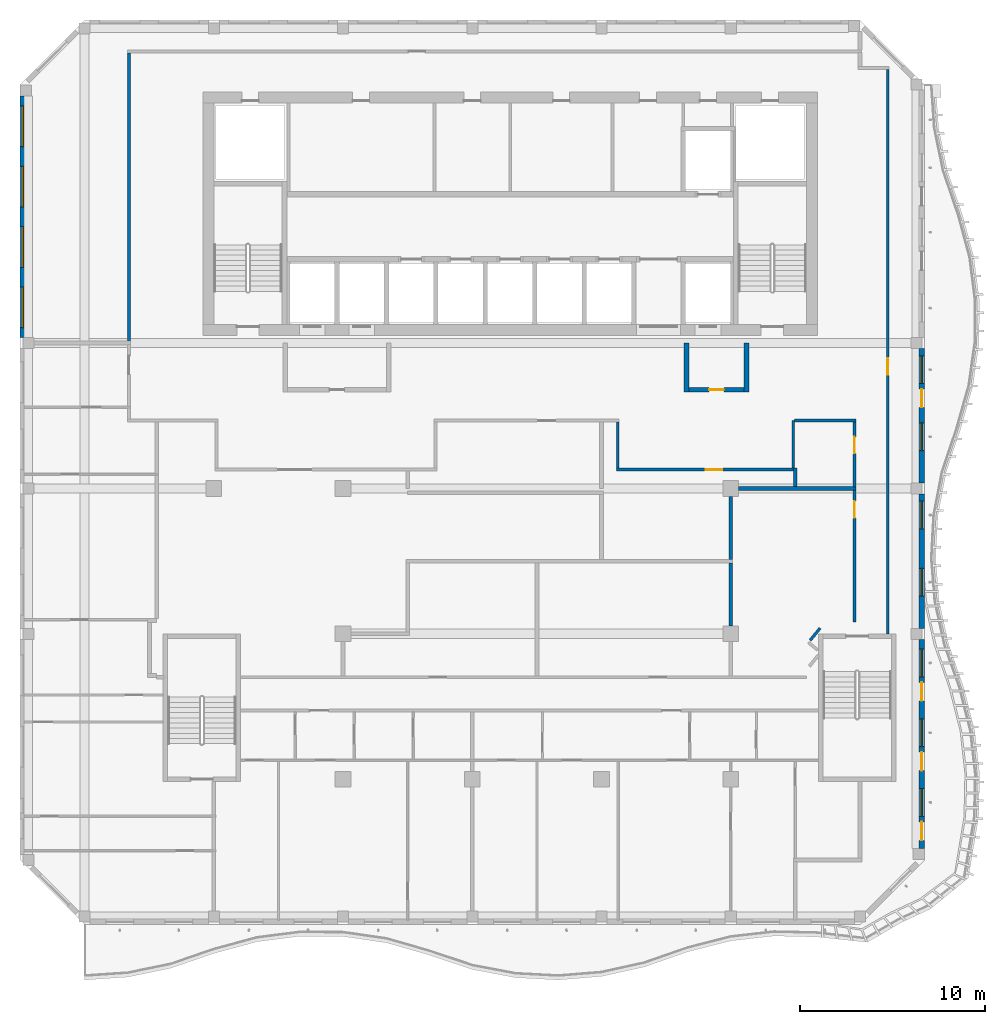
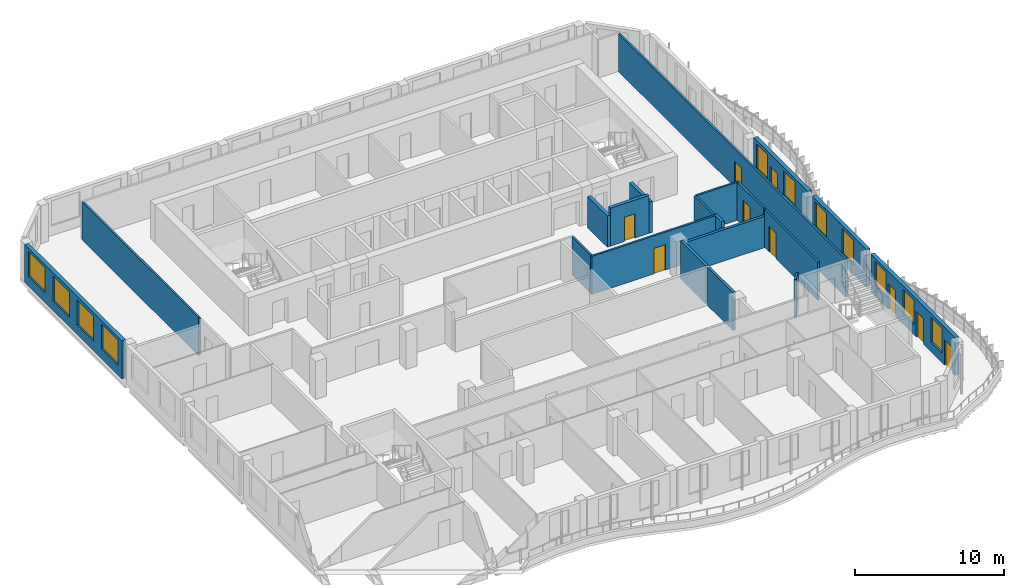
# One storey, part 5 of 17: 20 walls, 11 windows, 9 doors, 20 openings.
"""IFC4 building model written with IfcOpenShell, lengths in metres."""

from ifc_helpers import new_model, si_unit, direction, frame, frame_2d, origin, place, context, subcontext, project, spatial, rectangle, extrude, source, transform, mapped, material, layer, layer_set, type_object, element, fill, save


model = new_model("IFC4")

# Units and contexts
model_context = context("Model", 3, precision=1e-05, world=origin(), true_north=direction((0.0, 1.0)))
body_context = subcontext(model_context, "Body", "Model", "MODEL_VIEW")
ifc_project = project(units=[si_unit("LENGTHUNIT", "METRE"), si_unit("AREAUNIT", "SQUARE_METRE"), si_unit("VOLUMEUNIT", "CUBIC_METRE"), si_unit("PLANEANGLEUNIT", "RADIAN"), si_unit("MASSUNIT", "GRAM", prefix="KILO")], contexts=[model_context])

# Site, building, storey
site_placement = place(None, origin())
site = spatial("IfcSite", under=ifc_project, at=site_placement, CompositionType="ELEMENT")
building_placement = place(site_placement, origin())
building = spatial("IfcBuilding", under=site, at=building_placement, Name="Kilnfold Tower and Market Hall", CompositionType="ELEMENT")
storey_placement = place(building_placement, frame((0.0, 0.0, 301.800048828125)))
storey = spatial("IfcBuildingStorey", under=building, at=storey_placement, Name="L75", CompositionType="ELEMENT", Elevation=301.800048828125)

# Wall, opening, door
ifc_material_1 = material(Name="Gypsum board on steel studs", Category="steel")
ifc_layer_1 = layer(ifc_material_1, 0.14990234375)
ifc_layer_set_1 = layer_set([ifc_layer_1], Name="Gypsum board on steel studs")
wall_type_1 = type_object("IfcWallType", Name="WALL CORRIDOR 150", PredefinedType="PARTITIONING", material=ifc_layer_set_1)
wall_1_placement = place(storey_placement, frame((21.5, -7.75, 0.0), z_axis=(0.0, 0.0, 1.0), x_axis=(0.0, 1.0, 0.0)))
wall_1 = element("IfcWall", 1, at=wall_1_placement, inside=storey, type_object=wall_type_1, Name="Partition LY45.6", PredefinedType="PARTITIONING", context=body_context, shape_type="SweptSolid", body=[
    extrude(rectangle(XDim=30.574951171875, YDim=0.14990234375, at=frame_2d((15.28759765625, 0.0))), origin(), (0.0, 0.0, 1.0), 3.119873046875),
])
opening_1_placement = place(wall_1_placement, frame((14.034912109375, 0.0, 0.0)))
opening_1 = element("IfcOpeningElement", 2, at=opening_1_placement, cuts=wall_1, Name="Opening D2", PredefinedType="OPENING", context=body_context, shape_type="SweptSolid", body=[
    extrude(rectangle(XDim=0.89990234375, YDim=2.10009765625, at=frame_2d((0.449951171875, 1.050048828125))), frame((0.0, 0.0849609375, 0.0), z_axis=(0.0, -1.0, 0.0), x_axis=(1.0, 0.0, 0.0)), (0.0, 0.0, 1.0), 0.169921875),
])
ifc_material_2 = material(Name="Timber veneer door leaf in steel frame", Category="steel")
door_type_1 = type_object("IfcDoorType", Name="DOOR ROOM 900 X2100", OperationType="NOTDEFINED", PredefinedType="DOOR", material=ifc_material_2)
door_1_placement = place(opening_1_placement, origin())
door_1 = element("IfcDoor", 3, at=door_1_placement, inside=storey, type_object=door_type_1, Name="Door D2", OperationType="SINGLE_SWING_LEFT", OverallHeight=2.10009765625, OverallWidth=0.89990234375, PredefinedType="DOOR", context=body_context, shape_type="SweptSolid", body=[
    extrude(rectangle(XDim=0.89990234375, YDim=2.10009765625, at=frame_2d((0.449951171875, 1.050048828125))), frame((0.0, 0.02490234375, 0.0), z_axis=(0.0, -1.0, 0.0), x_axis=(1.0, 0.0, 0.0)), (0.0, 0.0, 1.0), 0.050048828125),
])
fill(opening_1, door_1)

# Walls
wall_2_placement = place(storey_placement, frame((-19.60009765625, 8.090087890625, 0.0), z_axis=(0.0, 0.0, 1.0), x_axis=(0.0, 1.0, 0.0)))
element("IfcWall", 4, at=wall_2_placement, inside=storey, type_object=wall_type_1, Name="Partition LY45.7", PredefinedType="PARTITIONING", context=body_context, shape_type="SweptSolid", body=[
    extrude(rectangle(XDim=15.635009765625, YDim=0.14990234375, at=frame_2d((7.8173828125, 0.0))), origin(), (0.0, 0.0, 1.0), 3.119873046875),
])
wall_3_placement = place(storey_placement, frame((16.3798828125, 1.22509765625, 0.0), z_axis=(0.0, 0.0, 1.0), x_axis=(0.0, 1.0, 0.0)))
element("IfcWall", 5, at=wall_3_placement, inside=storey, type_object=wall_type_1, Name="Partition LY45.14", PredefinedType="PARTITIONING", context=body_context, shape_type="SweptSolid", body=[
    extrude(rectangle(XDim=2.574951171875, YDim=0.14990234375, at=frame_2d((1.28759765625, 0.0))), origin(), (0.0, 0.0, 1.0), 3.119873046875),
])

# Wall, opening, door
wall_4_placement = place(storey_placement, frame((6.804931640625, 1.14990234375, 0.0), z_axis=(0.0, 0.0, 1.0), x_axis=(1.0, 0.0, 0.0)))
wall_4 = element("IfcWall", 6, at=wall_4_placement, inside=storey, type_object=wall_type_1, Name="Partition LY45.15", PredefinedType="PARTITIONING", context=body_context, shape_type="SweptSolid", body=[
    extrude(rectangle(XDim=9.594970703125, YDim=0.14990234375, at=frame_2d((4.79736328125, 0.0))), origin(), (0.0, 0.0, 1.0), 3.119873046875),
])
opening_2_placement = place(wall_4_placement, frame((4.827880859375, 0.0, 0.0)))
opening_2 = element("IfcOpeningElement", 7, at=opening_2_placement, cuts=wall_4, Name="Opening D2", PredefinedType="OPENING", context=body_context, shape_type="SweptSolid", body=[
    extrude(rectangle(XDim=0.89990234375, YDim=2.10009765625, at=frame_2d((0.449951171875, 1.050048828125))), frame((0.0, 0.0849609375, 0.0), z_axis=(0.0, -1.0, 0.0), x_axis=(1.0, 0.0, 0.0)), (0.0, 0.0, 1.0), 0.169921875),
])
door_2_placement = place(opening_2_placement, origin())
door_2 = element("IfcDoor", 8, at=door_2_placement, inside=storey, type_object=door_type_1, Name="Door D2", OperationType="SINGLE_SWING_LEFT", OverallHeight=2.10009765625, OverallWidth=0.89990234375, PredefinedType="DOOR", context=body_context, shape_type="SweptSolid", body=[
    extrude(rectangle(XDim=0.89990234375, YDim=2.10009765625, at=frame_2d((0.449951171875, 1.050048828125))), frame((0.0, 0.02490234375, 0.0), z_axis=(0.0, -1.0, 0.0), x_axis=(1.0, 0.0, 0.0)), (0.0, 0.0, 1.0), 0.050048828125),
])
fill(opening_2, door_2)

# Walls
wall_5_placement = place(storey_placement, frame((6.8798828125, 3.72509765625, 0.0), z_axis=(0.0, 0.0, 1.0), x_axis=(0.0, -1.0, 0.0)))
element("IfcWall", 9, at=wall_5_placement, inside=storey, type_object=wall_type_1, Name="Partition LY45.16", PredefinedType="PARTITIONING", context=body_context, shape_type="SweptSolid", body=[
    extrude(rectangle(XDim=2.5, YDim=0.14990234375, at=frame_2d((1.25, 0.0))), origin(), (0.0, 0.0, 1.0), 3.119873046875),
])
wall_6_placement = place(storey_placement, frame((17.8349609375, -7.44189453125, 0.0), z_axis=(0.0, 0.0, 1.0), x_axis=(-0.628859024249, -0.777519342281, 0.0)))
element("IfcWall", 10, at=wall_6_placement, inside=storey, type_object=wall_type_1, Name="Partition LY45.19", PredefinedType="PARTITIONING", context=body_context, shape_type="SweptSolid", body=[
    extrude(rectangle(XDim=0.84912109375, YDim=0.14990234375, at=frame_2d((0.424560546875, 0.0))), origin(), (0.0, 0.0, 1.0), 3.119873046875),
])

# Wall, opening, door
wall_7_placement = place(storey_placement, frame((19.699951171875, -7.10009765625, 0.0), z_axis=(0.0, 0.0, 1.0), x_axis=(0.0, 1.0, 0.0)))
wall_7 = element("IfcWall", 11, at=wall_7_placement, inside=storey, type_object=wall_type_1, Name="Partition LY45.20", PredefinedType="PARTITIONING", context=body_context, shape_type="SweptSolid", body=[
    extrude(rectangle(XDim=7.135009765625, YDim=0.14990234375, at=frame_2d((3.5673828125, 0.0))), origin(), (0.0, 0.0, 1.0), 3.119873046875),
])
opening_3_placement = place(wall_7_placement, frame((5.633056640625, 0.0, 0.0)))
opening_3 = element("IfcOpeningElement", 12, at=opening_3_placement, cuts=wall_7, Name="Opening D2", PredefinedType="OPENING", context=body_context, shape_type="SweptSolid", body=[
    extrude(rectangle(XDim=0.89990234375, YDim=2.10009765625, at=frame_2d((0.449951171875, 1.050048828125))), frame((0.0, 0.0849609375, 0.0), z_axis=(0.0, -1.0, 0.0), x_axis=(1.0, 0.0, 0.0)), (0.0, 0.0, 1.0), 0.169921875),
])
door_3_placement = place(opening_3_placement, origin())
door_3 = element("IfcDoor", 13, at=door_3_placement, inside=storey, type_object=door_type_1, Name="Door D2", OperationType="SINGLE_SWING_LEFT", OverallHeight=2.10009765625, OverallWidth=0.89990234375, PredefinedType="DOOR", context=body_context, shape_type="SweptSolid", body=[
    extrude(rectangle(XDim=0.89990234375, YDim=2.10009765625, at=frame_2d((0.449951171875, 1.050048828125))), frame((0.0, 0.02490234375, 0.0), z_axis=(0.0, -1.0, 0.0), x_axis=(1.0, 0.0, 0.0)), (0.0, 0.0, 1.0), 0.050048828125),
])
fill(opening_3, door_3)

wall_8_placement = place(storey_placement, frame((19.699951171875, 0.215087890625, 0.0), z_axis=(0.0, 0.0, 1.0), x_axis=(0.0, 1.0, 0.0)))
wall_8 = element("IfcWall", 14, at=wall_8_placement, inside=storey, type_object=wall_type_1, Name="Partition LY45.21", PredefinedType="PARTITIONING", context=body_context, shape_type="SweptSolid", body=[
    extrude(rectangle(XDim=3.510009765625, YDim=0.14990234375, at=frame_2d((1.7548828125, 0.0))), origin(), (0.0, 0.0, 1.0), 3.119873046875),
])
opening_4_placement = place(wall_8_placement, frame((1.806884765625, 0.0, 0.0)))
opening_4 = element("IfcOpeningElement", 15, at=opening_4_placement, cuts=wall_8, Name="Opening D2", PredefinedType="OPENING", context=body_context, shape_type="SweptSolid", body=[
    extrude(rectangle(XDim=0.89990234375, YDim=2.10009765625, at=frame_2d((0.449951171875, 1.050048828125))), frame((0.0, 0.0849609375, 0.0), z_axis=(0.0, -1.0, 0.0), x_axis=(1.0, 0.0, 0.0)), (0.0, 0.0, 1.0), 0.169921875),
])
door_4_placement = place(opening_4_placement, origin())
door_4 = element("IfcDoor", 16, at=door_4_placement, inside=storey, type_object=door_type_1, Name="Door D2", OperationType="SINGLE_SWING_LEFT", OverallHeight=2.10009765625, OverallWidth=0.89990234375, PredefinedType="DOOR", context=body_context, shape_type="SweptSolid", body=[
    extrude(rectangle(XDim=0.89990234375, YDim=2.10009765625, at=frame_2d((0.449951171875, 1.050048828125))), frame((0.0, 0.02490234375, 0.0), z_axis=(0.0, -1.0, 0.0), x_axis=(1.0, 0.0, 0.0)), (0.0, 0.0, 1.0), 0.050048828125),
])
fill(opening_4, door_4)

# Walls
wall_9_placement = place(storey_placement, frame((16.455078125, 3.800048828125, 0.0), z_axis=(0.0, 0.0, 1.0), x_axis=(1.0, 0.0, 0.0)))
element("IfcWall", 17, at=wall_9_placement, inside=storey, type_object=wall_type_1, Name="Partition LY45.22", PredefinedType="PARTITIONING", context=body_context, shape_type="SweptSolid", body=[
    extrude(rectangle(XDim=3.31982421875, YDim=0.14990234375, at=frame_2d((1.659912109375, 0.0))), origin(), (0.0, 0.0, 1.0), 3.119873046875),
])
ifc_material_3 = material(Name="Gypsum board on steel studs", Category="steel")
ifc_layer_2 = layer(ifc_material_3, 0.199951171875)
ifc_layer_set_2 = layer_set([ifc_layer_2], Name="Gypsum board on steel studs")
wall_type_2 = type_object("IfcWallType", Name="WALL PARTY 200", PredefinedType="PARTITIONING", material=ifc_layer_set_2)
wall_10_placement = place(storey_placement, frame((13.0, -7.324951171875, 0.0), z_axis=(0.0, 0.0, 1.0), x_axis=(0.0, 1.0, 0.0)))
element("IfcWall", 18, at=wall_10_placement, inside=storey, type_object=wall_type_2, Name="Partition LY45.71", PredefinedType="PARTITIONING", context=body_context, shape_type="SweptSolid", body=[
    extrude(rectangle(XDim=3.412841796875, YDim=0.199951171875, at=frame_2d((1.70654296875, 0.0))), origin(), (0.0, 0.0, 1.0), 3.119873046875),
])
wall_11_placement = place(storey_placement, frame((13.425048828125, 0.125, 0.0), z_axis=(0.0, 0.0, 1.0), x_axis=(1.0, 0.0, 0.0)))
element("IfcWall", 19, at=wall_11_placement, inside=storey, type_object=wall_type_2, Name="Partition LY45.73", PredefinedType="PARTITIONING", context=body_context, shape_type="SweptSolid", body=[
    extrude(rectangle(XDim=6.347900390625, YDim=0.199951171875, at=frame_2d((3.173828125, 0.0))), origin(), (0.0, 0.0, 1.0), 2.570068359375),
])
wall_12_placement = place(storey_placement, frame((13.0, -3.7119140625, 0.0), z_axis=(0.0, 0.0, 1.0), x_axis=(0.0, 1.0, 0.0)))
element("IfcWall", 20, at=wall_12_placement, inside=storey, type_object=wall_type_2, Name="Partition LY45.74", PredefinedType="PARTITIONING", context=body_context, shape_type="SweptSolid", body=[
    extrude(rectangle(XDim=3.411865234375, YDim=0.199951171875, at=frame_2d((1.7060546875, 0.0))), origin(), (0.0, 0.0, 1.0), 3.119873046875),
])
wall_13_placement = place(storey_placement, frame((16.5, 0.22509765625, 0.0), z_axis=(0.0, 0.0, 1.0), x_axis=(0.0, 1.0, 0.0)))
element("IfcWall", 21, at=wall_13_placement, inside=storey, type_object=wall_type_2, Name="Partition LY45.75", PredefinedType="PARTITIONING", context=body_context, shape_type="SweptSolid", body=[
    extrude(rectangle(XDim=1.0, YDim=0.199951171875, at=frame_2d((0.5, 0.0))), origin(), (0.0, 0.0, 1.0), 3.119873046875),
])

# Wall, openings, doors, windows
ifc_material_4 = material(Name="Precast concrete C50/60", Category="concrete")
ifc_layer_3 = layer(ifc_material_4, 0.300048828125)
ifc_layer_set_3 = layer_set([ifc_layer_3], Name="Precast concrete C50/60")
wall_type_3 = type_object("IfcWallType", Name="PRECAST WALL 300", PredefinedType="SOLIDWALL", material=ifc_layer_set_3)
shared_shape_1 = source(origin(), body_context, "Body", "SweptSolid", [
    extrude(rectangle(XDim=11.331787109375, YDim=0.300048828125, at=frame_2d((5.666015625, 0.0))), origin(), (0.0, 0.0, 1.0), 3.119873046875),
])
wall_14_placement = place(storey_placement, frame((23.35009765625, -19.3818359375, 0.0), z_axis=(0.0, 0.0, 1.0), x_axis=(0.0, 1.0, 0.0)))
wall_14 = element("IfcWall", 22, at=wall_14_placement, inside=storey, type_object=wall_type_3, Name="External wall L75 E", PredefinedType="SOLIDWALL", context=body_context, shape_type="MappedRepresentation", body=[
    mapped(shared_shape_1, transform((0.0, 0.0, 0.0))),
])
opening_5_placement = place(wall_14_placement, frame((1.75, 0.0, 0.800048828125)))
opening_5 = element("IfcOpeningElement", 23, at=opening_5_placement, cuts=wall_14, Name="Opening W5", PredefinedType="OPENING", context=body_context, shape_type="SweptSolid", body=[
    extrude(rectangle(XDim=1.5, YDim=2.050048828125, at=frame_2d((0.75, 1.02490234375))), frame((0.0, 0.16015625, 0.0), z_axis=(0.0, -1.0, 0.0), x_axis=(1.0, 0.0, 0.0)), (0.0, 0.0, 1.0), 0.320068359375),
])
opening_6_placement = place(wall_14_placement, frame((0.449951171875, 0.0, 0.0)))
opening_6 = element("IfcOpeningElement", 24, at=opening_6_placement, cuts=wall_14, Name="Opening BD1", PredefinedType="OPENING", context=body_context, shape_type="SweptSolid", body=[
    extrude(rectangle(XDim=1.0, YDim=2.10009765625, at=frame_2d((0.5, 1.050048828125))), frame((0.0, 0.16015625, 0.0), z_axis=(0.0, -1.0, 0.0), x_axis=(1.0, 0.0, 0.0)), (0.0, 0.0, 1.0), 0.320068359375),
])
opening_7_placement = place(wall_14_placement, frame((5.52734375, 0.0, 0.800048828125)))
opening_7 = element("IfcOpeningElement", 25, at=opening_7_placement, cuts=wall_14, Name="Opening W5", PredefinedType="OPENING", context=body_context, shape_type="SweptSolid", body=[
    extrude(rectangle(XDim=1.5, YDim=2.050048828125, at=frame_2d((0.75, 1.02490234375))), frame((0.0, 0.16015625, 0.0), z_axis=(0.0, -1.0, 0.0), x_axis=(1.0, 0.0, 0.0)), (0.0, 0.0, 1.0), 0.320068359375),
])
opening_8_placement = place(wall_14_placement, frame((4.227294921875, 0.0, 0.0)))
opening_8 = element("IfcOpeningElement", 26, at=opening_8_placement, cuts=wall_14, Name="Opening BD1", PredefinedType="OPENING", context=body_context, shape_type="SweptSolid", body=[
    extrude(rectangle(XDim=1.0, YDim=2.10009765625, at=frame_2d((0.5, 1.050048828125))), frame((0.0, 0.16015625, 0.0), z_axis=(0.0, -1.0, 0.0), x_axis=(1.0, 0.0, 0.0)), (0.0, 0.0, 1.0), 0.320068359375),
])
opening_9_placement = place(wall_14_placement, frame((9.304443359375, 0.0, 0.800048828125)))
opening_9 = element("IfcOpeningElement", 27, at=opening_9_placement, cuts=wall_14, Name="Opening W5", PredefinedType="OPENING", context=body_context, shape_type="SweptSolid", body=[
    extrude(rectangle(XDim=1.5, YDim=2.050048828125, at=frame_2d((0.75, 1.02490234375))), frame((0.0, 0.16015625, 0.0), z_axis=(0.0, -1.0, 0.0), x_axis=(1.0, 0.0, 0.0)), (0.0, 0.0, 1.0), 0.320068359375),
])
opening_10_placement = place(wall_14_placement, frame((8.00439453125, 0.0, 0.0)))
opening_10 = element("IfcOpeningElement", 28, at=opening_10_placement, cuts=wall_14, Name="Opening BD1", PredefinedType="OPENING", context=body_context, shape_type="SweptSolid", body=[
    extrude(rectangle(XDim=1.0, YDim=2.10009765625, at=frame_2d((0.5, 1.050048828125))), frame((0.0, 0.16015625, 0.0), z_axis=(0.0, -1.0, 0.0), x_axis=(1.0, 0.0, 0.0)), (0.0, 0.0, 1.0), 0.320068359375),
])
ifc_material_5 = material(Name="Aluminium frame and double glazing", Category="aluminium")
door_type_2 = type_object("IfcDoorType", Name="BALCONY DOOR 1000X2100", OperationType="NOTDEFINED", PredefinedType="DOOR", material=ifc_material_5)
door_5_placement = place(opening_6_placement, origin())
door_5 = element("IfcDoor", 29, at=door_5_placement, inside=storey, type_object=door_type_2, Name="Balcony door BD1 L75 E-1", OperationType="SINGLE_SWING_LEFT", OverallHeight=2.10009765625, OverallWidth=1.0, PredefinedType="DOOR", context=body_context, shape_type="SweptSolid", body=[
    extrude(rectangle(XDim=1.0, YDim=2.10009765625, at=frame_2d((0.5, 1.050048828125))), frame((0.0, 0.02490234375, 0.0), z_axis=(0.0, -1.0, 0.0), x_axis=(1.0, 0.0, 0.0)), (0.0, 0.0, 1.0), 0.050048828125),
])
fill(opening_6, door_5)
door_6_placement = place(opening_8_placement, origin())
door_6 = element("IfcDoor", 30, at=door_6_placement, inside=storey, type_object=door_type_2, Name="Balcony door BD1 L75 E-2", OperationType="SINGLE_SWING_RIGHT", OverallHeight=2.10009765625, OverallWidth=1.0, PredefinedType="DOOR", context=body_context, shape_type="SweptSolid", body=[
    extrude(rectangle(XDim=1.0, YDim=2.10009765625, at=frame_2d((0.5, 1.050048828125))), frame((0.0, 0.02490234375, 0.0), z_axis=(0.0, -1.0, 0.0), x_axis=(1.0, 0.0, 0.0)), (0.0, 0.0, 1.0), 0.050048828125),
])
fill(opening_8, door_6)
door_7_placement = place(opening_10_placement, origin())
door_7 = element("IfcDoor", 31, at=door_7_placement, inside=storey, type_object=door_type_2, Name="Balcony door BD1 L75 E-3", OperationType="SINGLE_SWING_LEFT", OverallHeight=2.10009765625, OverallWidth=1.0, PredefinedType="DOOR", context=body_context, shape_type="SweptSolid", body=[
    extrude(rectangle(XDim=1.0, YDim=2.10009765625, at=frame_2d((0.5, 1.050048828125))), frame((0.0, 0.02490234375, 0.0), z_axis=(0.0, -1.0, 0.0), x_axis=(1.0, 0.0, 0.0)), (0.0, 0.0, 1.0), 0.050048828125),
])
fill(opening_10, door_7)
ifc_material_6 = material(Name="Aluminium frame and double glazing", Category="aluminium")
window_type_1 = type_object("IfcWindowType", Name="WINDOW W5 1500X2050", PartitioningType="SINGLE_PANEL", PredefinedType="WINDOW", material=ifc_material_6)
window_1_placement = place(opening_5_placement, origin())
window_1 = element("IfcWindow", 32, at=window_1_placement, inside=storey, type_object=window_type_1, Name="Window W5 L75 E-1", OverallHeight=2.050048828125, OverallWidth=1.5, PartitioningType="SINGLE_PANEL", PredefinedType="WINDOW", context=body_context, shape_type="SweptSolid", body=[
    extrude(rectangle(XDim=1.5, YDim=2.050048828125, at=frame_2d((0.75, 1.02490234375))), frame((0.0, 0.030029296875, 0.0), z_axis=(0.0, -1.0, 0.0), x_axis=(1.0, 0.0, 0.0)), (0.0, 0.0, 1.0), 0.06005859375),
])
fill(opening_5, window_1)
window_2_placement = place(opening_7_placement, origin())
window_2 = element("IfcWindow", 33, at=window_2_placement, inside=storey, type_object=window_type_1, Name="Window W5 L75 E-2", OverallHeight=2.050048828125, OverallWidth=1.5, PartitioningType="SINGLE_PANEL", PredefinedType="WINDOW", context=body_context, shape_type="SweptSolid", body=[
    extrude(rectangle(XDim=1.5, YDim=2.050048828125, at=frame_2d((0.75, 1.02490234375))), frame((0.0, 0.030029296875, 0.0), z_axis=(0.0, -1.0, 0.0), x_axis=(1.0, 0.0, 0.0)), (0.0, 0.0, 1.0), 0.06005859375),
])
fill(opening_7, window_2)
window_3_placement = place(opening_9_placement, origin())
window_3 = element("IfcWindow", 34, at=window_3_placement, inside=storey, type_object=window_type_1, Name="Window W5 L75 E-3", OverallHeight=2.050048828125, OverallWidth=1.5, PartitioningType="SINGLE_PANEL", PredefinedType="WINDOW", context=body_context, shape_type="SweptSolid", body=[
    extrude(rectangle(XDim=1.5, YDim=2.050048828125, at=frame_2d((0.75, 1.02490234375))), frame((0.0, 0.030029296875, 0.0), z_axis=(0.0, -1.0, 0.0), x_axis=(1.0, 0.0, 0.0)), (0.0, 0.0, 1.0), 0.06005859375),
])
fill(opening_9, window_3)

# Wall, openings, windows
shared_shape_2 = source(origin(), body_context, "Body", "SweptSolid", [
    extrude(rectangle(XDim=7.27490234375, YDim=0.300048828125, at=frame_2d((3.637451171875, 0.0))), origin(), (0.0, 0.0, 1.0), 3.119873046875),
])
wall_15_placement = place(storey_placement, frame((23.35009765625, -7.449951171875, 0.0), z_axis=(0.0, 0.0, 1.0), x_axis=(0.0, 1.0, 0.0)))
wall_15 = element("IfcWall", 35, at=wall_15_placement, inside=storey, type_object=wall_type_3, Name="External wall L75 E", PredefinedType="SOLIDWALL", context=body_context, shape_type="MappedRepresentation", body=[
    mapped(shared_shape_2, transform((0.0, 0.0, 0.0))),
])
opening_11_placement = place(wall_15_placement, frame((1.75, 0.0, 0.800048828125)))
opening_11 = element("IfcOpeningElement", 36, at=opening_11_placement, cuts=wall_15, Name="Opening W5", PredefinedType="OPENING", context=body_context, shape_type="SweptSolid", body=[
    extrude(rectangle(XDim=1.5, YDim=2.050048828125, at=frame_2d((0.75, 1.02490234375))), frame((0.0, 0.16015625, 0.0), z_axis=(0.0, -1.0, 0.0), x_axis=(1.0, 0.0, 0.0)), (0.0, 0.0, 1.0), 0.320068359375),
])
opening_12_placement = place(wall_15_placement, frame((5.387451171875, 0.0, 0.800048828125)))
opening_12 = element("IfcOpeningElement", 37, at=opening_12_placement, cuts=wall_15, Name="Opening W5", PredefinedType="OPENING", context=body_context, shape_type="SweptSolid", body=[
    extrude(rectangle(XDim=1.5, YDim=2.050048828125, at=frame_2d((0.75, 1.02490234375))), frame((0.0, 0.16015625, 0.0), z_axis=(0.0, -1.0, 0.0), x_axis=(1.0, 0.0, 0.0)), (0.0, 0.0, 1.0), 0.320068359375),
])
window_4_placement = place(opening_11_placement, origin())
window_4 = element("IfcWindow", 38, at=window_4_placement, inside=storey, type_object=window_type_1, Name="Window W5 L75 E-1", OverallHeight=2.050048828125, OverallWidth=1.5, PartitioningType="SINGLE_PANEL", PredefinedType="WINDOW", context=body_context, shape_type="SweptSolid", body=[
    extrude(rectangle(XDim=1.5, YDim=2.050048828125, at=frame_2d((0.75, 1.02490234375))), frame((0.0, 0.030029296875, 0.0), z_axis=(0.0, -1.0, 0.0), x_axis=(1.0, 0.0, 0.0)), (0.0, 0.0, 1.0), 0.06005859375),
])
fill(opening_11, window_4)
window_5_placement = place(opening_12_placement, origin())
window_5 = element("IfcWindow", 39, at=window_5_placement, inside=storey, type_object=window_type_1, Name="Window W5 L75 E-2", OverallHeight=2.050048828125, OverallWidth=1.5, PartitioningType="SINGLE_PANEL", PredefinedType="WINDOW", context=body_context, shape_type="SweptSolid", body=[
    extrude(rectangle(XDim=1.5, YDim=2.050048828125, at=frame_2d((0.75, 1.02490234375))), frame((0.0, 0.030029296875, 0.0), z_axis=(0.0, -1.0, 0.0), x_axis=(1.0, 0.0, 0.0)), (0.0, 0.0, 1.0), 0.06005859375),
])
fill(opening_12, window_5)

# Wall, openings, door, windows
wall_16_placement = place(storey_placement, frame((23.35009765625, 0.425048828125, 0.0), z_axis=(0.0, 0.0, 1.0), x_axis=(0.0, 1.0, 0.0)))
wall_16 = element("IfcWall", 40, at=wall_16_placement, inside=storey, type_object=wall_type_3, Name="External wall L75 E", PredefinedType="SOLIDWALL", context=body_context, shape_type="MappedRepresentation", body=[
    mapped(shared_shape_2, transform((0.0, 0.0, 0.0))),
])
opening_13_placement = place(wall_16_placement, frame((1.75, 0.0, 0.800048828125)))
opening_13 = element("IfcOpeningElement", 41, at=opening_13_placement, cuts=wall_16, Name="Opening W5", PredefinedType="OPENING", context=body_context, shape_type="SweptSolid", body=[
    extrude(rectangle(XDim=1.5, YDim=2.050048828125, at=frame_2d((0.75, 1.02490234375))), frame((0.0, 0.16015625, 0.0), z_axis=(0.0, -1.0, 0.0), x_axis=(1.0, 0.0, 0.0)), (0.0, 0.0, 1.0), 0.320068359375),
])
opening_14_placement = place(wall_16_placement, frame((5.387451171875, 0.0, 0.800048828125)))
opening_14 = element("IfcOpeningElement", 42, at=opening_14_placement, cuts=wall_16, Name="Opening W5", PredefinedType="OPENING", context=body_context, shape_type="SweptSolid", body=[
    extrude(rectangle(XDim=1.5, YDim=2.050048828125, at=frame_2d((0.75, 1.02490234375))), frame((0.0, 0.16015625, 0.0), z_axis=(0.0, -1.0, 0.0), x_axis=(1.0, 0.0, 0.0)), (0.0, 0.0, 1.0), 0.320068359375),
])
opening_15_placement = place(wall_16_placement, frame((4.08740234375, 0.0, 0.0)))
opening_15 = element("IfcOpeningElement", 43, at=opening_15_placement, cuts=wall_16, Name="Opening BD1", PredefinedType="OPENING", context=body_context, shape_type="SweptSolid", body=[
    extrude(rectangle(XDim=1.0, YDim=2.10009765625, at=frame_2d((0.5, 1.050048828125))), frame((0.0, 0.16015625, 0.0), z_axis=(0.0, -1.0, 0.0), x_axis=(1.0, 0.0, 0.0)), (0.0, 0.0, 1.0), 0.320068359375),
])
door_8_placement = place(opening_15_placement, origin())
door_8 = element("IfcDoor", 44, at=door_8_placement, inside=storey, type_object=door_type_2, Name="Balcony door BD1 L75 E-2", OperationType="SINGLE_SWING_RIGHT", OverallHeight=2.10009765625, OverallWidth=1.0, PredefinedType="DOOR", context=body_context, shape_type="SweptSolid", body=[
    extrude(rectangle(XDim=1.0, YDim=2.10009765625, at=frame_2d((0.5, 1.050048828125))), frame((0.0, 0.02490234375, 0.0), z_axis=(0.0, -1.0, 0.0), x_axis=(1.0, 0.0, 0.0)), (0.0, 0.0, 1.0), 0.050048828125),
])
fill(opening_15, door_8)
window_6_placement = place(opening_13_placement, origin())
window_6 = element("IfcWindow", 45, at=window_6_placement, inside=storey, type_object=window_type_1, Name="Window W5 L75 E-1", OverallHeight=2.050048828125, OverallWidth=1.5, PartitioningType="SINGLE_PANEL", PredefinedType="WINDOW", context=body_context, shape_type="SweptSolid", body=[
    extrude(rectangle(XDim=1.5, YDim=2.050048828125, at=frame_2d((0.75, 1.02490234375))), frame((0.0, 0.030029296875, 0.0), z_axis=(0.0, -1.0, 0.0), x_axis=(1.0, 0.0, 0.0)), (0.0, 0.0, 1.0), 0.06005859375),
])
fill(opening_13, window_6)
window_7_placement = place(opening_14_placement, origin())
window_7 = element("IfcWindow", 46, at=window_7_placement, inside=storey, type_object=window_type_1, Name="Window W5 L75 E-2", OverallHeight=2.050048828125, OverallWidth=1.5, PartitioningType="SINGLE_PANEL", PredefinedType="WINDOW", context=body_context, shape_type="SweptSolid", body=[
    extrude(rectangle(XDim=1.5, YDim=2.050048828125, at=frame_2d((0.75, 1.02490234375))), frame((0.0, 0.030029296875, 0.0), z_axis=(0.0, -1.0, 0.0), x_axis=(1.0, 0.0, 0.0)), (0.0, 0.0, 1.0), 0.06005859375),
])
fill(opening_14, window_7)

# Wall, openings, windows
shared_shape_3 = source(origin(), body_context, "Body", "SweptSolid", [
    extrude(rectangle(XDim=13.081787109375, YDim=0.300048828125, at=frame_2d((6.541015625, 0.0))), origin(), (0.0, 0.0, 1.0), 3.119873046875),
])
wall_17_placement = place(storey_placement, frame((-25.35009765625, 21.3818359375, 0.0), z_axis=(0.0, 0.0, 1.0), x_axis=(0.0, -1.0, 0.0)))
wall_17 = element("IfcWall", 47, at=wall_17_placement, inside=storey, type_object=wall_type_3, Name="External wall L75 W", PredefinedType="SOLIDWALL", context=body_context, shape_type="MappedRepresentation", body=[
    mapped(shared_shape_3, transform((0.0, 0.0, 0.0))),
])
opening_16_placement = place(wall_17_placement, frame((0.53515625, 0.0, 0.800048828125)))
opening_16 = element("IfcOpeningElement", 48, at=opening_16_placement, cuts=wall_17, Name="Opening W3", PredefinedType="OPENING", context=body_context, shape_type="SweptSolid", body=[
    extrude(rectangle(XDim=2.199951171875, YDim=2.050048828125, at=frame_2d((1.10009765625, 1.02490234375))), frame((0.0, 0.16015625, 0.0), z_axis=(0.0, -1.0, 0.0), x_axis=(1.0, 0.0, 0.0)), (0.0, 0.0, 1.0), 0.320068359375),
])
opening_17_placement = place(wall_17_placement, frame((3.8056640625, 0.0, 0.800048828125)))
opening_17 = element("IfcOpeningElement", 49, at=opening_17_placement, cuts=wall_17, Name="Opening W3", PredefinedType="OPENING", context=body_context, shape_type="SweptSolid", body=[
    extrude(rectangle(XDim=2.199951171875, YDim=2.050048828125, at=frame_2d((1.10009765625, 1.02490234375))), frame((0.0, 0.16015625, 0.0), z_axis=(0.0, -1.0, 0.0), x_axis=(1.0, 0.0, 0.0)), (0.0, 0.0, 1.0), 0.320068359375),
])
opening_18_placement = place(wall_17_placement, frame((7.076171875, 0.0, 0.800048828125)))
opening_18 = element("IfcOpeningElement", 50, at=opening_18_placement, cuts=wall_17, Name="Opening W3", PredefinedType="OPENING", context=body_context, shape_type="SweptSolid", body=[
    extrude(rectangle(XDim=2.199951171875, YDim=2.050048828125, at=frame_2d((1.10009765625, 1.02490234375))), frame((0.0, 0.16015625, 0.0), z_axis=(0.0, -1.0, 0.0), x_axis=(1.0, 0.0, 0.0)), (0.0, 0.0, 1.0), 0.320068359375),
])
opening_19_placement = place(wall_17_placement, frame((10.3466796875, 0.0, 0.800048828125)))
opening_19 = element("IfcOpeningElement", 51, at=opening_19_placement, cuts=wall_17, Name="Opening W3", PredefinedType="OPENING", context=body_context, shape_type="SweptSolid", body=[
    extrude(rectangle(XDim=2.199951171875, YDim=2.050048828125, at=frame_2d((1.10009765625, 1.02490234375))), frame((0.0, 0.16015625, 0.0), z_axis=(0.0, -1.0, 0.0), x_axis=(1.0, 0.0, 0.0)), (0.0, 0.0, 1.0), 0.320068359375),
])
ifc_material_7 = material(Name="Aluminium frame and double glazing", Category="aluminium")
window_type_2 = type_object("IfcWindowType", Name="WINDOW W3 2200X2050", PartitioningType="SINGLE_PANEL", PredefinedType="WINDOW", material=ifc_material_7)
window_8_placement = place(opening_16_placement, origin())
window_8 = element("IfcWindow", 52, at=window_8_placement, inside=storey, type_object=window_type_2, Name="Window W3 L75 W-1", OverallHeight=2.050048828125, OverallWidth=2.199951171875, PartitioningType="SINGLE_PANEL", PredefinedType="WINDOW", context=body_context, shape_type="SweptSolid", body=[
    extrude(rectangle(XDim=2.199951171875, YDim=2.050048828125, at=frame_2d((1.10009765625, 1.02490234375))), frame((0.0, 0.030029296875, 0.0), z_axis=(0.0, -1.0, 0.0), x_axis=(1.0, 0.0, 0.0)), (0.0, 0.0, 1.0), 0.06005859375),
])
fill(opening_16, window_8)
window_9_placement = place(opening_17_placement, origin())
window_9 = element("IfcWindow", 53, at=window_9_placement, inside=storey, type_object=window_type_2, Name="Window W3 L75 W-2", OverallHeight=2.050048828125, OverallWidth=2.199951171875, PartitioningType="SINGLE_PANEL", PredefinedType="WINDOW", context=body_context, shape_type="SweptSolid", body=[
    extrude(rectangle(XDim=2.199951171875, YDim=2.050048828125, at=frame_2d((1.10009765625, 1.02490234375))), frame((0.0, 0.030029296875, 0.0), z_axis=(0.0, -1.0, 0.0), x_axis=(1.0, 0.0, 0.0)), (0.0, 0.0, 1.0), 0.06005859375),
])
fill(opening_17, window_9)
window_10_placement = place(opening_18_placement, origin())
window_10 = element("IfcWindow", 54, at=window_10_placement, inside=storey, type_object=window_type_2, Name="Window W3 L75 W-3", OverallHeight=2.050048828125, OverallWidth=2.199951171875, PartitioningType="SINGLE_PANEL", PredefinedType="WINDOW", context=body_context, shape_type="SweptSolid", body=[
    extrude(rectangle(XDim=2.199951171875, YDim=2.050048828125, at=frame_2d((1.10009765625, 1.02490234375))), frame((0.0, 0.030029296875, 0.0), z_axis=(0.0, -1.0, 0.0), x_axis=(1.0, 0.0, 0.0)), (0.0, 0.0, 1.0), 0.06005859375),
])
fill(opening_18, window_10)
window_11_placement = place(opening_19_placement, origin())
window_11 = element("IfcWindow", 55, at=window_11_placement, inside=storey, type_object=window_type_2, Name="Window W3 L75 W-4", OverallHeight=2.050048828125, OverallWidth=2.199951171875, PartitioningType="SINGLE_PANEL", PredefinedType="WINDOW", context=body_context, shape_type="SweptSolid", body=[
    extrude(rectangle(XDim=2.199951171875, YDim=2.050048828125, at=frame_2d((1.10009765625, 1.02490234375))), frame((0.0, 0.030029296875, 0.0), z_axis=(0.0, -1.0, 0.0), x_axis=(1.0, 0.0, 0.0)), (0.0, 0.0, 1.0), 0.06005859375),
])
fill(opening_19, window_11)

# Wall, opening, door
ifc_material_8 = material(Name="Gypsum shaft wall system")
ifc_layer_4 = layer(ifc_material_8, 0.25)
ifc_layer_set_4 = layer_set([ifc_layer_4], Name="Gypsum shaft wall system")
wall_type_4 = type_object("IfcWallType", Name="LOBBY WALL 250", PredefinedType="PARTITIONING", material=ifc_layer_set_4)
shared_shape_4 = source(origin(), body_context, "Body", "SweptSolid", [
    extrude(rectangle(XDim=3.0, YDim=0.25, at=frame_2d((1.5, 0.0))), origin(), (0.0, 0.0, 1.0), 3.119873046875),
])
wall_18_placement = place(storey_placement, frame((10.72998046875, 5.47509765625, 0.0), z_axis=(0.0, 0.0, 1.0), x_axis=(1.0, 0.0, 0.0)))
wall_18 = element("IfcWall", 56, at=wall_18_placement, inside=storey, type_object=wall_type_4, Name="Firefighting lobby wall", PredefinedType="PARTITIONING", context=body_context, shape_type="MappedRepresentation", body=[
    mapped(shared_shape_4, transform((0.0, 0.0, 0.0))),
])
opening_20_placement = place(wall_18_placement, frame((1.10009765625, 0.0, 0.0)))
opening_20 = element("IfcOpeningElement", 57, at=opening_20_placement, cuts=wall_18, Name="Opening VD1", PredefinedType="OPENING", context=body_context, shape_type="SweptSolid", body=[
    extrude(rectangle(XDim=0.800048828125, YDim=2.0, at=frame_2d((0.39990234375, 1.0))), frame((0.0, 0.135009765625, 0.0), z_axis=(0.0, -1.0, 0.0), x_axis=(1.0, 0.0, 0.0)), (0.0, 0.0, 1.0), 0.27001953125),
])
ifc_material_9 = material(Name="Steel door set with fire-resisting leaf", Category="steel")
door_type_3 = type_object("IfcDoorType", Name="FIREFIGHTING LOBBY DOOR 800X2000", OperationType="NOTDEFINED", PredefinedType="DOOR", material=ifc_material_9)
door_9_placement = place(opening_20_placement, origin())
door_9 = element("IfcDoor", 58, at=door_9_placement, inside=storey, type_object=door_type_3, Name="Firefighting lobby door", OperationType="SINGLE_SWING_RIGHT", OverallHeight=2.0, OverallWidth=0.800048828125, PredefinedType="DOOR", context=body_context, shape_type="SweptSolid", body=[
    extrude(rectangle(XDim=0.800048828125, YDim=2.0, at=frame_2d((0.39990234375, 1.0))), frame((0.0, 0.02490234375, 0.0), z_axis=(0.0, -1.0, 0.0), x_axis=(1.0, 0.0, 0.0)), (0.0, 0.0, 1.0), 0.050048828125),
])
fill(opening_20, door_9)

# Walls
shared_shape_5 = source(origin(), body_context, "Body", "SweptSolid", [
    extrude(rectangle(XDim=2.64990234375, YDim=0.25, at=frame_2d((1.324951171875, 0.0))), origin(), (0.0, 0.0, 1.0), 2.570068359375),
])
for number, where, z_axis, x_axis, name in (
    (59, (10.60498046875, 5.35009765625, 0.0), (0.0, 0.0, 1.0), (0.0, 1.0, 0.0), "Firefighting lobby wall"),
    (60, (13.85498046875, 5.35009765625, 0.0), (0.0, 0.0, 1.0), (0.0, 1.0, 0.0), "Firefighting lobby wall"),
):
    element("IfcWall", number, at=place(storey_placement, frame(where, z_axis=z_axis, x_axis=x_axis)), inside=storey, type_object=wall_type_4, Name=name, PredefinedType="PARTITIONING", context=body_context, shape_type="MappedRepresentation", body=[
        mapped(shared_shape_5, transform((0.0, 0.0, 0.0))),
    ])

save(model, "model.ifc")
